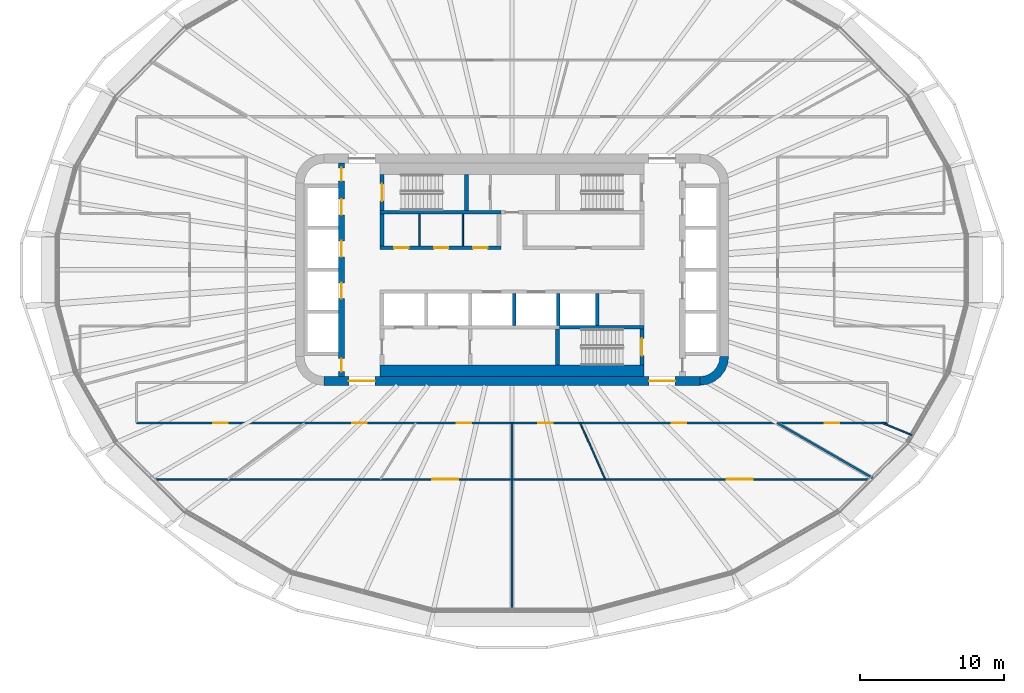
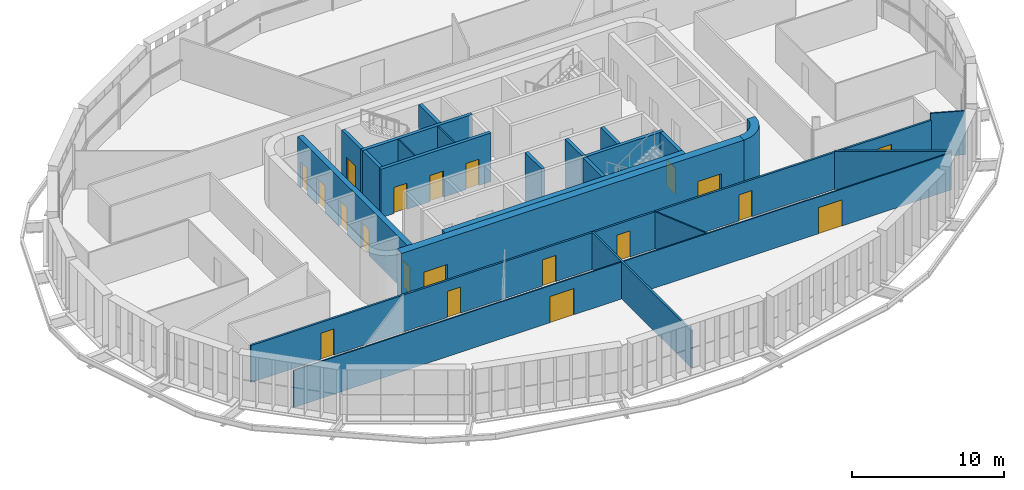
# One storey, part 15 of 25: 23 walls, 20 doors, 20 openings.
"""IFC4 building model written with IfcOpenShell, lengths in metres."""

from ifc_helpers import new_model, si_unit, direction, frame, frame_2d, origin, place, context, subcontext, project, spatial, polyline, rectangle, outline, extrude, material, layer, layer_set, type_object, element, fill, save


model = new_model("IFC4")

# Units and contexts
model_context = context("Model", 3, precision=1e-05, world=origin(), true_north=direction((0.0, 1.0)))
body_context = subcontext(model_context, "Body", "Model", "MODEL_VIEW")
ifc_project = project(units=[si_unit("LENGTHUNIT", "METRE"), si_unit("AREAUNIT", "SQUARE_METRE"), si_unit("VOLUMEUNIT", "CUBIC_METRE"), si_unit("PLANEANGLEUNIT", "RADIAN"), si_unit("MASSUNIT", "GRAM", prefix="KILO")], contexts=[model_context])

# Site, building, storey
site_placement = place(None, origin())
site = spatial("IfcSite", under=ifc_project, at=site_placement, CompositionType="ELEMENT")
building_placement = place(site_placement, origin())
building = spatial("IfcBuilding", under=site, at=building_placement, Name="Sahrelin Media Tower", CompositionType="ELEMENT")
storey_placement = place(building_placement, frame((0.0, 0.0, 144.0)))
storey = spatial("IfcBuildingStorey", under=building, at=storey_placement, Name="L29", CompositionType="ELEMENT", Elevation=144.0)

# Wall, openings, doors
ifc_material_1 = material(Name="Concrete C60/75", Category="concrete")
ifc_layer_1 = layer(ifc_material_1, 0.60009765625)
ifc_layer_set_1 = layer_set([ifc_layer_1], Name="Core wall 600")
wall_type_1 = type_object("IfcWallType", Name="Core wall 600", PredefinedType="SHEAR", material=ifc_layer_set_1)
wall_1_placement = place(storey_placement, frame((-13.0, -7.699951171875, 0.0), z_axis=(0.0, 0.0, 1.0), x_axis=(1.0, 0.0, 0.0)))
wall_1 = element("IfcWall", 1, at=wall_1_placement, inside=storey, type_object=wall_type_1, Name="Core wall S L29", PredefinedType="SHEAR", context=body_context, shape_type="SweptSolid", body=[
    extrude(rectangle(XDim=26.0, YDim=0.60009765625, at=frame_2d((13.0, 0.0))), origin(), (0.0, 0.0, 1.0), 4.199951171875),
])
opening_1_placement = place(wall_1_placement, frame((1.699951171875, 0.0, 0.0)))
opening_1 = element("IfcOpeningElement", 2, at=opening_1_placement, cuts=wall_1, Name="Opening L29-D19", PredefinedType="OPENING", context=body_context, shape_type="SweptSolid", body=[
    extrude(rectangle(XDim=1.800048828125, YDim=2.10009765625, at=frame_2d((0.89990234375, 1.050048828125))), frame((0.0, 0.300048828125, 0.0), z_axis=(0.0, -1.0, 0.0), x_axis=(1.0, 0.0, 0.0)), (0.0, 0.0, 1.0), 0.60009765625),
])
opening_2_placement = place(wall_1_placement, frame((22.5, 0.0, 0.0)))
opening_2 = element("IfcOpeningElement", 3, at=opening_2_placement, cuts=wall_1, Name="Opening L29-D20", PredefinedType="OPENING", context=body_context, shape_type="SweptSolid", body=[
    extrude(rectangle(XDim=1.800048828125, YDim=2.10009765625, at=frame_2d((0.89990234375, 1.050048828125))), frame((0.0, 0.300048828125, 0.0), z_axis=(0.0, -1.0, 0.0), x_axis=(1.0, 0.0, 0.0)), (0.0, 0.0, 1.0), 0.60009765625),
])
ifc_material_2 = material(Name="Steel fire door leaf", Category="steel")
door_type_1 = type_object("IfcDoorType", Name="Lobby double door 1800 x 2100 EI 60", OperationType="DOUBLE_DOOR_SINGLE_SWING", PredefinedType="DOOR", material=ifc_material_2)
door_1_placement = place(opening_1_placement, origin())
door_1 = element("IfcDoor", 4, at=door_1_placement, inside=storey, type_object=door_type_1, Name="Lobby door", OperationType="DOUBLE_DOOR_SINGLE_SWING", OverallHeight=2.10009765625, OverallWidth=1.800048828125, PredefinedType="DOOR", context=body_context, shape_type="SweptSolid", body=[
    extrude(rectangle(XDim=1.800048828125, YDim=2.10009765625, at=frame_2d((0.89990234375, 1.050048828125))), frame((0.0, 0.02490234375, 0.0), z_axis=(0.0, -1.0, 0.0), x_axis=(1.0, 0.0, 0.0)), (0.0, 0.0, 1.0), 0.050048828125),
])
fill(opening_1, door_1)
door_2_placement = place(opening_2_placement, origin())
door_2 = element("IfcDoor", 5, at=door_2_placement, inside=storey, type_object=door_type_1, Name="Lobby door", OperationType="DOUBLE_DOOR_SINGLE_SWING", OverallHeight=2.10009765625, OverallWidth=1.800048828125, PredefinedType="DOOR", context=body_context, shape_type="SweptSolid", body=[
    extrude(rectangle(XDim=1.800048828125, YDim=2.10009765625, at=frame_2d((0.89990234375, 1.050048828125))), frame((0.0, 0.02490234375, 0.0), z_axis=(0.0, -1.0, 0.0), x_axis=(1.0, 0.0, 0.0)), (0.0, 0.0, 1.0), 0.050048828125),
])
fill(opening_2, door_2)

# Wall
wall_2_placement = place(storey_placement, origin())
element("IfcWall", 6, at=wall_2_placement, inside=storey, type_object=wall_type_1, Name="Core wall corner SE L29", PredefinedType="SHEAR", context=body_context, shape_type="SweptSolid", body=[
    extrude(outline(polyline([(15.0, -6.0), (14.394775390625, -6.0), (14.347412109375, -6.361083984375), (14.2080078125, -6.697509765625), (13.986328125, -6.986328125), (13.697509765625, -7.2080078125), (13.361083984375, -7.347412109375), (13.0, -7.394775390625), (13.0, -8.0), (13.517578125, -7.931884765625), (14.0, -7.732177734375), (14.414306640625, -7.414306640625), (14.732177734375, -7.0), (14.931884765625, -6.517578125), (15.0, -6.0)])), origin(), (0.0, 0.0, 1.0), 4.199951171875),
])

# Wall, openings, doors
ifc_material_3 = material(Name="Fire-rated gypsum board partition")
ifc_layer_2 = layer(ifc_material_3, 0.25)
ifc_layer_set_2 = layer_set([ifc_layer_2], Name="Fire-rated lobby wall 250")
wall_type_2 = type_object("IfcWallType", Name="Fire-rated lobby wall 250", PredefinedType="PARTITIONING", material=ifc_layer_set_2)
wall_3_placement = place(storey_placement, frame((-9.125, 1.52490234375, 0.0), z_axis=(0.0, 0.0, 1.0), x_axis=(1.0, 0.0, 0.0)))
wall_3 = element("IfcWall", 7, at=wall_3_placement, inside=storey, type_object=wall_type_2, Name="Core lobby wall", PredefinedType="PARTITIONING", context=body_context, shape_type="SweptSolid", body=[
    extrude(rectangle(XDim=8.35009765625, YDim=0.25, at=frame_2d((4.175048828125, 0.0))), origin(), (0.0, 0.0, 1.0), 3.89990234375),
])
opening_3_placement = place(wall_3_placement, frame((0.96240234375, 0.0, 0.0)))
opening_3 = element("IfcOpeningElement", 8, at=opening_3_placement, cuts=wall_3, Name="Opening L29-D08", PredefinedType="OPENING", context=body_context, shape_type="SweptSolid", body=[
    extrude(rectangle(XDim=1.0, YDim=2.10009765625, at=frame_2d((0.5, 1.050048828125))), frame((0.0, 0.125, 0.0), z_axis=(0.0, -1.0, 0.0), x_axis=(1.0, 0.0, 0.0)), (0.0, 0.0, 1.0), 0.25),
])
opening_4_placement = place(wall_3_placement, frame((3.72509765625, 0.0, 0.0)))
opening_4 = element("IfcOpeningElement", 9, at=opening_4_placement, cuts=wall_3, Name="Opening L29-D09", PredefinedType="OPENING", context=body_context, shape_type="SweptSolid", body=[
    extrude(rectangle(XDim=1.0, YDim=2.10009765625, at=frame_2d((0.5, 1.050048828125))), frame((0.0, 0.125, 0.0), z_axis=(0.0, -1.0, 0.0), x_axis=(1.0, 0.0, 0.0)), (0.0, 0.0, 1.0), 0.25),
])
opening_5_placement = place(wall_3_placement, frame((6.4375, 0.0, 0.0)))
opening_5 = element("IfcOpeningElement", 10, at=opening_5_placement, cuts=wall_3, Name="Opening L29-D10", PredefinedType="OPENING", context=body_context, shape_type="SweptSolid", body=[
    extrude(rectangle(XDim=1.0, YDim=2.10009765625, at=frame_2d((0.5, 1.050048828125))), frame((0.0, 0.125, 0.0), z_axis=(0.0, -1.0, 0.0), x_axis=(1.0, 0.0, 0.0)), (0.0, 0.0, 1.0), 0.25),
])
door_type_2 = type_object("IfcDoorType", Name="Fire door 1000 x 2100 EI 60", OperationType="NOTDEFINED", PredefinedType="DOOR", material=ifc_material_2)
door_3_placement = place(opening_3_placement, origin())
door_3 = element("IfcDoor", 11, at=door_3_placement, inside=storey, type_object=door_type_2, Name="Core room door", OperationType="SINGLE_SWING_LEFT", OverallHeight=2.10009765625, OverallWidth=1.0, PredefinedType="DOOR", context=body_context, shape_type="SweptSolid", body=[
    extrude(rectangle(XDim=1.0, YDim=2.10009765625, at=frame_2d((0.5, 1.050048828125))), frame((0.0, 0.02490234375, 0.0), z_axis=(0.0, -1.0, 0.0), x_axis=(1.0, 0.0, 0.0)), (0.0, 0.0, 1.0), 0.050048828125),
])
fill(opening_3, door_3)
door_4_placement = place(opening_4_placement, origin())
door_4 = element("IfcDoor", 12, at=door_4_placement, inside=storey, type_object=door_type_2, Name="Core room door", OperationType="SINGLE_SWING_LEFT", OverallHeight=2.10009765625, OverallWidth=1.0, PredefinedType="DOOR", context=body_context, shape_type="SweptSolid", body=[
    extrude(rectangle(XDim=1.0, YDim=2.10009765625, at=frame_2d((0.5, 1.050048828125))), frame((0.0, 0.02490234375, 0.0), z_axis=(0.0, -1.0, 0.0), x_axis=(1.0, 0.0, 0.0)), (0.0, 0.0, 1.0), 0.050048828125),
])
fill(opening_4, door_4)
door_5_placement = place(opening_5_placement, origin())
door_5 = element("IfcDoor", 13, at=door_5_placement, inside=storey, type_object=door_type_2, Name="Core room door", OperationType="SINGLE_SWING_LEFT", OverallHeight=2.10009765625, OverallWidth=1.0, PredefinedType="DOOR", context=body_context, shape_type="SweptSolid", body=[
    extrude(rectangle(XDim=1.0, YDim=2.10009765625, at=frame_2d((0.5, 1.050048828125))), frame((0.0, 0.02490234375, 0.0), z_axis=(0.0, -1.0, 0.0), x_axis=(1.0, 0.0, 0.0)), (0.0, 0.0, 1.0), 0.050048828125),
])
fill(opening_5, door_5)

# Walls
wall_4_placement = place(storey_placement, frame((-9.0, 1.64990234375, 0.0), z_axis=(0.0, 0.0, 1.0), x_axis=(0.0, 1.0, 0.0)))
element("IfcWall", 14, at=wall_4_placement, inside=storey, type_object=wall_type_2, Name="Core lobby wall", PredefinedType="PARTITIONING", context=body_context, shape_type="SweptSolid", body=[
    extrude(rectangle(XDim=2.2001953125, YDim=0.25, at=frame_2d((1.10009765625, 0.0))), origin(), (0.0, 0.0, 1.0), 3.89990234375),
])
ifc_layer_3 = layer(ifc_material_3, 0.10009765625)
ifc_layer_set_3 = layer_set([ifc_layer_3], Name="Fire-rated partition 100")
wall_type_3 = type_object("IfcWallType", Name="Fire-rated partition 100", PredefinedType="PARTITIONING", material=ifc_layer_set_3)
for number, where, z_axis, x_axis, name in (
    (15, (-6.39990234375, 1.64990234375, 0.0), (0.0, 0.0, 1.0), (0.0, 1.0, 0.0), "Core room partition"),
    (16, (-3.39990234375, 1.64990234375, 0.0), (0.0, 0.0, 1.0), (0.0, 1.0, 0.0), "Core room partition"),
):
    element("IfcWall", number, at=place(storey_placement, frame(where, z_axis=z_axis, x_axis=x_axis)), inside=storey, type_object=wall_type_3, Name=name, PredefinedType="PARTITIONING", context=body_context, shape_type="SweptSolid", body=[
        extrude(rectangle(XDim=2.2001953125, YDim=0.10009765625, at=frame_2d((1.10009765625, 0.0))), origin(), (0.0, 0.0, 1.0), 3.89990234375),
    ])
ifc_layer_4 = layer(ifc_material_3, 0.14990234375)
ifc_layer_set_4 = layer_set([ifc_layer_4], Name="Fire-rated partition 150")
wall_type_4 = type_object("IfcWallType", Name="Fire-rated partition 150", PredefinedType="PARTITIONING", material=ifc_layer_set_4)
wall_5_placement = place(storey_placement, frame((18.35888671875, -10.60009765625, 0.0), z_axis=(0.0, 0.0, 1.0), x_axis=(0.866036201792, -0.499981296836, 0.0)))
element("IfcWall", 17, at=wall_5_placement, inside=storey, type_object=wall_type_4, Name="Wall", PredefinedType="PARTITIONING", context=body_context, shape_type="SweptSolid", body=[
    extrude(rectangle(XDim=7.701904296875, YDim=0.14990234375, at=frame_2d((3.85107421875, 0.0))), origin(), (0.0, 0.0, 1.0), 3.044921875),
])

# Wall, openings, doors
wall_6_placement = place(storey_placement, frame((-25.986083984375, -10.60009765625, 0.0), z_axis=(0.0, 0.0, 1.0), x_axis=(1.0, 0.0, 0.0)))
wall_6 = element("IfcWall", 18, at=wall_6_placement, inside=storey, type_object=wall_type_4, Name="Wall", PredefinedType="PARTITIONING", context=body_context, shape_type="SweptSolid", body=[
    extrude(rectangle(XDim=51.97216796875, YDim=0.14990234375, at=frame_2d((25.986083984375, 0.0))), origin(), (0.0, 0.0, 1.0), 2.96826171875),
])
opening_6_placement = place(wall_6_placement, frame((47.628173828125, 0.0, 0.0)))
opening_6 = element("IfcOpeningElement", 19, at=opening_6_placement, cuts=wall_6, Name="Opening L29-D21", PredefinedType="OPENING", context=body_context, shape_type="SweptSolid", body=[
    extrude(rectangle(XDim=1.0, YDim=2.10009765625, at=frame_2d((0.5, 1.050048828125))), frame((0.0, 0.074951171875, 0.0), z_axis=(0.0, -1.0, 0.0), x_axis=(1.0, 0.0, 0.0)), (0.0, 0.0, 1.0), 0.14990234375),
])
opening_7_placement = place(wall_6_placement, frame((5.3115234375, 0.0, 0.0)))
opening_7 = element("IfcOpeningElement", 20, at=opening_7_placement, cuts=wall_6, Name="Opening L29-D32", PredefinedType="OPENING", context=body_context, shape_type="SweptSolid", body=[
    extrude(rectangle(XDim=1.0, YDim=2.10009765625, at=frame_2d((0.5, 1.050048828125))), frame((0.0, 0.074951171875, 0.0), z_axis=(0.0, -1.0, 0.0), x_axis=(1.0, 0.0, 0.0)), (0.0, 0.0, 1.0), 0.14990234375),
])
opening_8_placement = place(wall_6_placement, frame((14.924072265625, 0.0, 0.0)))
opening_8 = element("IfcOpeningElement", 21, at=opening_8_placement, cuts=wall_6, Name="Opening L29-D33", PredefinedType="OPENING", context=body_context, shape_type="SweptSolid", body=[
    extrude(rectangle(XDim=1.0, YDim=2.10009765625, at=frame_2d((0.5, 1.050048828125))), frame((0.0, 0.074951171875, 0.0), z_axis=(0.0, -1.0, 0.0), x_axis=(1.0, 0.0, 0.0)), (0.0, 0.0, 1.0), 0.14990234375),
])
opening_9_placement = place(wall_6_placement, frame((22.155517578125, 0.0, 0.0)))
opening_9 = element("IfcOpeningElement", 22, at=opening_9_placement, cuts=wall_6, Name="Opening L29-D34", PredefinedType="OPENING", context=body_context, shape_type="SweptSolid", body=[
    extrude(rectangle(XDim=1.0, YDim=2.10009765625, at=frame_2d((0.5, 1.050048828125))), frame((0.0, 0.074951171875, 0.0), z_axis=(0.0, -1.0, 0.0), x_axis=(1.0, 0.0, 0.0)), (0.0, 0.0, 1.0), 0.14990234375),
])
opening_10_placement = place(wall_6_placement, frame((27.795166015625, 0.0, 0.0)))
opening_10 = element("IfcOpeningElement", 23, at=opening_10_placement, cuts=wall_6, Name="Opening L29-D36", PredefinedType="OPENING", context=body_context, shape_type="SweptSolid", body=[
    extrude(rectangle(XDim=1.0, YDim=2.10009765625, at=frame_2d((0.5, 1.050048828125))), frame((0.0, 0.074951171875, 0.0), z_axis=(0.0, -1.0, 0.0), x_axis=(1.0, 0.0, 0.0)), (0.0, 0.0, 1.0), 0.14990234375),
])
opening_11_placement = place(wall_6_placement, frame((37.04541015625, 0.0, 0.0)))
opening_11 = element("IfcOpeningElement", 24, at=opening_11_placement, cuts=wall_6, Name="Opening L29-D37", PredefinedType="OPENING", context=body_context, shape_type="SweptSolid", body=[
    extrude(rectangle(XDim=1.0, YDim=2.10009765625, at=frame_2d((0.5, 1.050048828125))), frame((0.0, 0.074951171875, 0.0), z_axis=(0.0, -1.0, 0.0), x_axis=(1.0, 0.0, 0.0)), (0.0, 0.0, 1.0), 0.14990234375),
])
door_6_placement = place(opening_6_placement, origin())
door_6 = element("IfcDoor", 25, at=door_6_placement, inside=storey, type_object=door_type_2, Name="Fire door", OperationType="SINGLE_SWING_LEFT", OverallHeight=2.10009765625, OverallWidth=1.0, PredefinedType="DOOR", context=body_context, shape_type="SweptSolid", body=[
    extrude(rectangle(XDim=1.0, YDim=2.10009765625, at=frame_2d((0.5, 1.050048828125))), frame((0.0, 0.02490234375, 0.0), z_axis=(0.0, -1.0, 0.0), x_axis=(1.0, 0.0, 0.0)), (0.0, 0.0, 1.0), 0.050048828125),
])
fill(opening_6, door_6)
door_7_placement = place(opening_7_placement, origin())
door_7 = element("IfcDoor", 26, at=door_7_placement, inside=storey, type_object=door_type_2, Name="Fire door", OperationType="SINGLE_SWING_RIGHT", OverallHeight=2.10009765625, OverallWidth=1.0, PredefinedType="DOOR", context=body_context, shape_type="SweptSolid", body=[
    extrude(rectangle(XDim=1.0, YDim=2.10009765625, at=frame_2d((0.5, 1.050048828125))), frame((0.0, 0.02490234375, 0.0), z_axis=(0.0, -1.0, 0.0), x_axis=(1.0, 0.0, 0.0)), (0.0, 0.0, 1.0), 0.050048828125),
])
fill(opening_7, door_7)
door_8_placement = place(opening_8_placement, origin())
door_8 = element("IfcDoor", 27, at=door_8_placement, inside=storey, type_object=door_type_2, Name="Fire door", OperationType="SINGLE_SWING_RIGHT", OverallHeight=2.10009765625, OverallWidth=1.0, PredefinedType="DOOR", context=body_context, shape_type="SweptSolid", body=[
    extrude(rectangle(XDim=1.0, YDim=2.10009765625, at=frame_2d((0.5, 1.050048828125))), frame((0.0, 0.02490234375, 0.0), z_axis=(0.0, -1.0, 0.0), x_axis=(1.0, 0.0, 0.0)), (0.0, 0.0, 1.0), 0.050048828125),
])
fill(opening_8, door_8)
door_9_placement = place(opening_9_placement, origin())
door_9 = element("IfcDoor", 28, at=door_9_placement, inside=storey, type_object=door_type_2, Name="Fire door", OperationType="SINGLE_SWING_RIGHT", OverallHeight=2.10009765625, OverallWidth=1.0, PredefinedType="DOOR", context=body_context, shape_type="SweptSolid", body=[
    extrude(rectangle(XDim=1.0, YDim=2.10009765625, at=frame_2d((0.5, 1.050048828125))), frame((0.0, 0.02490234375, 0.0), z_axis=(0.0, -1.0, 0.0), x_axis=(1.0, 0.0, 0.0)), (0.0, 0.0, 1.0), 0.050048828125),
])
fill(opening_9, door_9)
door_10_placement = place(opening_10_placement, origin())
door_10 = element("IfcDoor", 29, at=door_10_placement, inside=storey, type_object=door_type_2, Name="Fire door", OperationType="SINGLE_SWING_LEFT", OverallHeight=2.10009765625, OverallWidth=1.0, PredefinedType="DOOR", context=body_context, shape_type="SweptSolid", body=[
    extrude(rectangle(XDim=1.0, YDim=2.10009765625, at=frame_2d((0.5, 1.050048828125))), frame((0.0, 0.02490234375, 0.0), z_axis=(0.0, -1.0, 0.0), x_axis=(1.0, 0.0, 0.0)), (0.0, 0.0, 1.0), 0.050048828125),
])
fill(opening_10, door_10)
door_11_placement = place(opening_11_placement, origin())
door_11 = element("IfcDoor", 30, at=door_11_placement, inside=storey, type_object=door_type_2, Name="Fire door", OperationType="SINGLE_SWING_LEFT", OverallHeight=2.10009765625, OverallWidth=1.0, PredefinedType="DOOR", context=body_context, shape_type="SweptSolid", body=[
    extrude(rectangle(XDim=1.0, YDim=2.10009765625, at=frame_2d((0.5, 1.050048828125))), frame((0.0, 0.02490234375, 0.0), z_axis=(0.0, -1.0, 0.0), x_axis=(1.0, 0.0, 0.0)), (0.0, 0.0, 1.0), 0.050048828125),
])
fill(opening_11, door_11)

# Walls
wall_7_placement = place(storey_placement, frame((0.0, -23.696044921875, 0.0), z_axis=(0.0, 0.0, 1.0), x_axis=(0.0, 1.0, 0.0)))
element("IfcWall", 31, at=wall_7_placement, inside=storey, type_object=wall_type_4, Name="Wall", PredefinedType="PARTITIONING", context=body_context, shape_type="SweptSolid", body=[
    extrude(rectangle(XDim=13.095947265625, YDim=0.14990234375, at=frame_2d((6.5478515625, 0.0))), origin(), (0.0, 0.0, 1.0), 2.96826171875),
])
ifc_layer_5 = layer(ifc_material_1, 0.25)
ifc_layer_set_5 = layer_set([ifc_layer_5], Name="Lift shaft wall 250")
wall_type_5 = type_object("IfcWallType", Name="Lift shaft wall 250", PredefinedType="SOLIDWALL", material=ifc_layer_set_5)
wall_8_placement = place(storey_placement, frame((3.27490234375, -3.97509765625, 0.0), z_axis=(0.0, 0.0, 1.0), x_axis=(1.0, 0.0, 0.0)))
element("IfcWall", 32, at=wall_8_placement, inside=storey, type_object=wall_type_5, Name="Lift shaft wall", PredefinedType="SOLIDWALL", context=body_context, shape_type="SweptSolid", body=[
    extrude(rectangle(XDim=5.85009765625, YDim=0.25, at=frame_2d((2.925048828125, 0.0))), origin(), (0.0, 0.0, 1.0), 3.89990234375),
])
for number, where, z_axis, x_axis, name in (
    (33, (0.14990234375, -3.85009765625, 0.0), (0.0, 0.0, 1.0), (0.0, 1.0, 0.0), "Lift shaft wall"),
    (34, (3.199951171875, -3.85009765625, 0.0), (0.0, 0.0, 1.0), (0.0, 1.0, 0.0), "Lift shaft wall"),
    (35, (5.89990234375, -3.85009765625, 0.0), (0.0, 0.0, 1.0), (0.0, 1.0, 0.0), "Lift shaft wall"),
):
    element("IfcWall", number, at=place(storey_placement, frame(where, z_axis=z_axis, x_axis=x_axis)), inside=storey, type_object=wall_type_5, Name=name, PredefinedType="SOLIDWALL", context=body_context, shape_type="SweptSolid", body=[
        extrude(rectangle(XDim=2.2001953125, YDim=0.25, at=frame_2d((1.10009765625, 0.0))), origin(), (0.0, 0.0, 1.0), 3.89990234375),
    ])

# Wall, openings, doors
ifc_layer_6 = layer(ifc_material_1, 0.39990234375)
ifc_layer_set_6 = layer_set([ifc_layer_6], Name="Lift shaft wall 400")
wall_type_6 = type_object("IfcWallType", Name="Lift shaft wall 400", PredefinedType="SOLIDWALL", material=ifc_layer_set_6)
wall_9_placement = place(storey_placement, frame((-11.800048828125, -7.39990234375, 0.0), z_axis=(0.0, 0.0, 1.0), x_axis=(0.0, 1.0, 0.0)))
wall_9 = element("IfcWall", 36, at=wall_9_placement, inside=storey, type_object=wall_type_6, Name="Lift shaft wall", PredefinedType="SOLIDWALL", context=body_context, shape_type="SweptSolid", body=[
    extrude(rectangle(XDim=14.7998046875, YDim=0.39990234375, at=frame_2d((7.39990234375, 0.0))), origin(), (0.0, 0.0, 1.0), 3.89990234375),
])
opening_12_placement = place(wall_9_placement, frame((11.199951171875, 0.0, 0.0)))
opening_12 = element("IfcOpeningElement", 37, at=opening_12_placement, cuts=wall_9, Name="Opening L29-LD-LR1", PredefinedType="OPENING", context=body_context, shape_type="SweptSolid", body=[
    extrude(rectangle(XDim=1.10009765625, YDim=2.10009765625, at=frame_2d((0.550048828125, 1.050048828125))), frame((0.0, 0.199951171875, 0.0), z_axis=(0.0, -1.0, 0.0), x_axis=(1.0, 0.0, 0.0)), (0.0, 0.0, 1.0), 0.39990234375),
])
opening_13_placement = place(wall_9_placement, frame((8.300048828125, 0.0, 0.0)))
opening_13 = element("IfcOpeningElement", 38, at=opening_13_placement, cuts=wall_9, Name="Opening L29-LD-LR2", PredefinedType="OPENING", context=body_context, shape_type="SweptSolid", body=[
    extrude(rectangle(XDim=1.10009765625, YDim=2.10009765625, at=frame_2d((0.550048828125, 1.050048828125))), frame((0.0, 0.199951171875, 0.0), z_axis=(0.0, -1.0, 0.0), x_axis=(1.0, 0.0, 0.0)), (0.0, 0.0, 1.0), 0.39990234375),
])
opening_14_placement = place(wall_9_placement, frame((5.39990234375, 0.0, 0.0)))
opening_14 = element("IfcOpeningElement", 39, at=opening_14_placement, cuts=wall_9, Name="Opening L29-LD-LR3", PredefinedType="OPENING", context=body_context, shape_type="SweptSolid", body=[
    extrude(rectangle(XDim=1.10009765625, YDim=2.10009765625, at=frame_2d((0.550048828125, 1.050048828125))), frame((0.0, 0.199951171875, 0.0), z_axis=(0.0, -1.0, 0.0), x_axis=(1.0, 0.0, 0.0)), (0.0, 0.0, 1.0), 0.39990234375),
])
opening_15_placement = place(wall_9_placement, frame((13.552490234375, 0.0, 0.0)))
opening_15 = element("IfcOpeningElement", 40, at=opening_15_placement, cuts=wall_9, Name="Opening L29-D13", PredefinedType="OPENING", context=body_context, shape_type="SweptSolid", body=[
    extrude(rectangle(XDim=0.89990234375, YDim=2.10009765625, at=frame_2d((0.449951171875, 1.050048828125))), frame((0.0, 0.199951171875, 0.0), z_axis=(0.0, -1.0, 0.0), x_axis=(1.0, 0.0, 0.0)), (0.0, 0.0, 1.0), 0.39990234375),
])
opening_16_placement = place(wall_9_placement, frame((0.347412109375, 0.0, 0.0)))
opening_16 = element("IfcOpeningElement", 41, at=opening_16_placement, cuts=wall_9, Name="Opening L29-D14", PredefinedType="OPENING", context=body_context, shape_type="SweptSolid", body=[
    extrude(rectangle(XDim=0.89990234375, YDim=2.10009765625, at=frame_2d((0.449951171875, 1.050048828125))), frame((0.0, 0.199951171875, 0.0), z_axis=(0.0, -1.0, 0.0), x_axis=(1.0, 0.0, 0.0)), (0.0, 0.0, 1.0), 0.39990234375),
])
ifc_material_4 = material(Name="Stainless steel", Category="steel")
door_type_3 = type_object("IfcDoorType", Name="Lift landing door 1100 x 2100 EI 120", OperationType="DOUBLE_DOOR_SLIDING", PredefinedType="DOOR", material=ifc_material_4)
door_12_placement = place(opening_12_placement, origin())
door_12 = element("IfcDoor", 42, at=door_12_placement, inside=storey, type_object=door_type_3, Name="Lift landing door LR1", OperationType="DOUBLE_DOOR_SLIDING", OverallHeight=2.10009765625, OverallWidth=1.10009765625, PredefinedType="DOOR", context=body_context, shape_type="SweptSolid", body=[
    extrude(rectangle(XDim=1.10009765625, YDim=2.10009765625, at=frame_2d((0.550048828125, 1.050048828125))), frame((0.0, 0.02490234375, 0.0), z_axis=(0.0, -1.0, 0.0), x_axis=(1.0, 0.0, 0.0)), (0.0, 0.0, 1.0), 0.050048828125),
])
fill(opening_12, door_12)
door_13_placement = place(opening_13_placement, origin())
door_13 = element("IfcDoor", 43, at=door_13_placement, inside=storey, type_object=door_type_3, Name="Lift landing door LR2", OperationType="DOUBLE_DOOR_SLIDING", OverallHeight=2.10009765625, OverallWidth=1.10009765625, PredefinedType="DOOR", context=body_context, shape_type="SweptSolid", body=[
    extrude(rectangle(XDim=1.10009765625, YDim=2.10009765625, at=frame_2d((0.550048828125, 1.050048828125))), frame((0.0, 0.02490234375, 0.0), z_axis=(0.0, -1.0, 0.0), x_axis=(1.0, 0.0, 0.0)), (0.0, 0.0, 1.0), 0.050048828125),
])
fill(opening_13, door_13)
door_14_placement = place(opening_14_placement, origin())
door_14 = element("IfcDoor", 44, at=door_14_placement, inside=storey, type_object=door_type_3, Name="Lift landing door LR3", OperationType="DOUBLE_DOOR_SLIDING", OverallHeight=2.10009765625, OverallWidth=1.10009765625, PredefinedType="DOOR", context=body_context, shape_type="SweptSolid", body=[
    extrude(rectangle(XDim=1.10009765625, YDim=2.10009765625, at=frame_2d((0.550048828125, 1.050048828125))), frame((0.0, 0.02490234375, 0.0), z_axis=(0.0, -1.0, 0.0), x_axis=(1.0, 0.0, 0.0)), (0.0, 0.0, 1.0), 0.050048828125),
])
fill(opening_14, door_14)
door_type_4 = type_object("IfcDoorType", Name="Riser door 900 x 2100 EI 120", OperationType="NOTDEFINED", PredefinedType="DOOR", material=ifc_material_2)
door_15_placement = place(opening_15_placement, origin())
door_15 = element("IfcDoor", 45, at=door_15_placement, inside=storey, type_object=door_type_4, Name="Riser door", OperationType="SINGLE_SWING_LEFT", OverallHeight=2.10009765625, OverallWidth=0.89990234375, PredefinedType="DOOR", context=body_context, shape_type="SweptSolid", body=[
    extrude(rectangle(XDim=0.89990234375, YDim=2.10009765625, at=frame_2d((0.449951171875, 1.050048828125))), frame((0.0, 0.02490234375, 0.0), z_axis=(0.0, -1.0, 0.0), x_axis=(1.0, 0.0, 0.0)), (0.0, 0.0, 1.0), 0.050048828125),
])
fill(opening_15, door_15)
door_16_placement = place(opening_16_placement, origin())
door_16 = element("IfcDoor", 46, at=door_16_placement, inside=storey, type_object=door_type_4, Name="Riser door", OperationType="SINGLE_SWING_LEFT", OverallHeight=2.10009765625, OverallWidth=0.89990234375, PredefinedType="DOOR", context=body_context, shape_type="SweptSolid", body=[
    extrude(rectangle(XDim=0.89990234375, YDim=2.10009765625, at=frame_2d((0.449951171875, 1.050048828125))), frame((0.0, 0.02490234375, 0.0), z_axis=(0.0, -1.0, 0.0), x_axis=(1.0, 0.0, 0.0)), (0.0, 0.0, 1.0), 0.050048828125),
])
fill(opening_16, door_16)

# Walls
ifc_material_5 = material(Name="Gypsum board partition")
ifc_layer_7 = layer(ifc_material_5, 0.10009765625)
ifc_layer_set_7 = layer_set([ifc_layer_7], Name="Partition 100")
wall_type_7 = type_object("IfcWallType", Name="Partition 100", PredefinedType="PARTITIONING", material=ifc_layer_set_7)
wall_10_placement = place(storey_placement, frame((4.718994140625, -10.60009765625, 0.0), z_axis=(0.0, 0.0, 1.0), x_axis=(0.406768186446, -0.913531412977, 0.0)))
element("IfcWall", 47, at=wall_10_placement, inside=storey, type_object=wall_type_7, Name="Wall", PredefinedType="PARTITIONING", context=body_context, shape_type="SweptSolid", body=[
    extrude(rectangle(XDim=4.280029296875, YDim=0.10009765625, at=frame_2d((2.14013671875, 0.0))), origin(), (0.0, 0.0, 1.0), 2.96826171875),
])
wall_11_placement = place(storey_placement, frame((25.635009765625, -10.60009765625, 0.0), z_axis=(0.0, 0.0, 1.0), x_axis=(0.924087226733, -0.382181628796, 0.0)))
element("IfcWall", 48, at=wall_11_placement, inside=storey, type_object=wall_type_7, Name="Wall", PredefinedType="PARTITIONING", context=body_context, shape_type="SweptSolid", body=[
    extrude(rectangle(XDim=2.3232421875, YDim=0.10009765625, at=frame_2d((1.16162109375, 0.0))), origin(), (0.0, 0.0, 1.0), 3.52490234375),
])

# Wall, openings, doors
wall_12_placement = place(storey_placement, frame((-24.969970703125, -14.510009765625, 0.0), z_axis=(0.0, 0.0, 1.0), x_axis=(1.0, 0.0, 0.0)))
wall_12 = element("IfcWall", 49, at=wall_12_placement, inside=storey, type_object=wall_type_7, Name="Wall", PredefinedType="PARTITIONING", context=body_context, shape_type="SweptSolid", body=[
    extrude(rectangle(XDim=49.93994140625, YDim=0.10009765625, at=frame_2d((24.969970703125, 0.0))), origin(), (0.0, 0.0, 1.0), 2.96826171875),
])
opening_17_placement = place(wall_12_placement, frame((19.46142578125, 0.0, 0.0)))
opening_17 = element("IfcOpeningElement", 50, at=opening_17_placement, cuts=wall_12, Name="Opening L29-D35", PredefinedType="OPENING", context=body_context, shape_type="SweptSolid", body=[
    extrude(rectangle(XDim=1.800048828125, YDim=2.10009765625, at=frame_2d((0.89990234375, 1.050048828125))), frame((0.0, 0.050048828125, 0.0), z_axis=(0.0, -1.0, 0.0), x_axis=(1.0, 0.0, 0.0)), (0.0, 0.0, 1.0), 0.10009765625),
])
opening_18_placement = place(wall_12_placement, frame((39.8349609375, 0.0, 0.0)))
opening_18 = element("IfcOpeningElement", 51, at=opening_18_placement, cuts=wall_12, Name="Opening L29-D38", PredefinedType="OPENING", context=body_context, shape_type="SweptSolid", body=[
    extrude(rectangle(XDim=1.800048828125, YDim=2.10009765625, at=frame_2d((0.89990234375, 1.050048828125))), frame((0.0, 0.050048828125, 0.0), z_axis=(0.0, -1.0, 0.0), x_axis=(1.0, 0.0, 0.0)), (0.0, 0.0, 1.0), 0.10009765625),
])
ifc_material_6 = material(Name="Timber door leaf", Category="wood")
door_type_5 = type_object("IfcDoorType", Name="Double door 1800 x 2100", OperationType="DOUBLE_DOOR_SINGLE_SWING", PredefinedType="DOOR", material=ifc_material_6)
door_17_placement = place(opening_17_placement, origin())
door_17 = element("IfcDoor", 52, at=door_17_placement, inside=storey, type_object=door_type_5, Name="Double door", OperationType="DOUBLE_DOOR_SINGLE_SWING", OverallHeight=2.10009765625, OverallWidth=1.800048828125, PredefinedType="DOOR", context=body_context, shape_type="SweptSolid", body=[
    extrude(rectangle(XDim=1.800048828125, YDim=2.10009765625, at=frame_2d((0.89990234375, 1.050048828125))), frame((0.0, 0.02490234375, 0.0), z_axis=(0.0, -1.0, 0.0), x_axis=(1.0, 0.0, 0.0)), (0.0, 0.0, 1.0), 0.050048828125),
])
fill(opening_17, door_17)
door_18_placement = place(opening_18_placement, origin())
door_18 = element("IfcDoor", 53, at=door_18_placement, inside=storey, type_object=door_type_5, Name="Double door", OperationType="DOUBLE_DOOR_SINGLE_SWING", OverallHeight=2.10009765625, OverallWidth=1.800048828125, PredefinedType="DOOR", context=body_context, shape_type="SweptSolid", body=[
    extrude(rectangle(XDim=1.800048828125, YDim=2.10009765625, at=frame_2d((0.89990234375, 1.050048828125))), frame((0.0, 0.02490234375, 0.0), z_axis=(0.0, -1.0, 0.0), x_axis=(1.0, 0.0, 0.0)), (0.0, 0.0, 1.0), 0.050048828125),
])
fill(opening_18, door_18)

# Wall, opening, door
ifc_layer_8 = layer(ifc_material_1, 0.25)
ifc_layer_set_8 = layer_set([ifc_layer_8], Name="Stair enclosure wall 250")
wall_type_8 = type_object("IfcWallType", Name="Stair enclosure wall 250", PredefinedType="SOLIDWALL", material=ifc_layer_set_8)
wall_13_placement = place(storey_placement, frame((-9.0, 4.10009765625, 0.0), z_axis=(0.0, 0.0, 1.0), x_axis=(0.0, 1.0, 0.0)))
wall_13 = element("IfcWall", 54, at=wall_13_placement, inside=storey, type_object=wall_type_8, Name="Stair enclosure wall", PredefinedType="SOLIDWALL", context=body_context, shape_type="SweptSolid", body=[
    extrude(rectangle(XDim=2.5, YDim=0.25, at=frame_2d((1.25, 0.0))), origin(), (0.0, 0.0, 1.0), 3.89990234375),
])
opening_19_placement = place(wall_13_placement, frame((0.64990234375, 0.0, 0.0)))
opening_19 = element("IfcOpeningElement", 55, at=opening_19_placement, cuts=wall_13, Name="Opening L29-D01", PredefinedType="OPENING", context=body_context, shape_type="SweptSolid", body=[
    extrude(rectangle(XDim=1.199951171875, YDim=2.10009765625, at=frame_2d((0.60009765625, 1.050048828125))), frame((0.0, 0.125, 0.0), z_axis=(0.0, -1.0, 0.0), x_axis=(1.0, 0.0, 0.0)), (0.0, 0.0, 1.0), 0.25),
])
door_type_6 = type_object("IfcDoorType", Name="Stair door 1200 x 2100 EI 120", OperationType="NOTDEFINED", PredefinedType="DOOR", material=ifc_material_2)
door_19_placement = place(opening_19_placement, origin())
door_19 = element("IfcDoor", 56, at=door_19_placement, inside=storey, type_object=door_type_6, Name="Stair door ST1", OperationType="SINGLE_SWING_RIGHT", OverallHeight=2.10009765625, OverallWidth=1.199951171875, PredefinedType="DOOR", context=body_context, shape_type="SweptSolid", body=[
    extrude(rectangle(XDim=1.199951171875, YDim=2.10009765625, at=frame_2d((0.60009765625, 1.050048828125))), frame((0.0, 0.02490234375, 0.0), z_axis=(0.0, -1.0, 0.0), x_axis=(1.0, 0.0, 0.0)), (0.0, 0.0, 1.0), 0.050048828125),
])
fill(opening_19, door_19)

wall_14_placement = place(storey_placement, frame((9.0, -6.60009765625, 0.0), z_axis=(0.0, 0.0, 1.0), x_axis=(0.0, 1.0, 0.0)))
wall_14 = element("IfcWall", 57, at=wall_14_placement, inside=storey, type_object=wall_type_8, Name="Stair enclosure wall", PredefinedType="SOLIDWALL", context=body_context, shape_type="SweptSolid", body=[
    extrude(rectangle(XDim=2.5, YDim=0.25, at=frame_2d((1.25, 0.0))), origin(), (0.0, 0.0, 1.0), 3.89990234375),
])
opening_20_placement = place(wall_14_placement, frame((0.64990234375, 0.0, 0.0)))
opening_20 = element("IfcOpeningElement", 58, at=opening_20_placement, cuts=wall_14, Name="Opening L29-D03", PredefinedType="OPENING", context=body_context, shape_type="SweptSolid", body=[
    extrude(rectangle(XDim=1.199951171875, YDim=2.10009765625, at=frame_2d((0.60009765625, 1.050048828125))), frame((0.0, 0.125, 0.0), z_axis=(0.0, -1.0, 0.0), x_axis=(1.0, 0.0, 0.0)), (0.0, 0.0, 1.0), 0.25),
])
door_20_placement = place(opening_20_placement, origin())
door_20 = element("IfcDoor", 59, at=door_20_placement, inside=storey, type_object=door_type_6, Name="Stair door ST2", OperationType="SINGLE_SWING_LEFT", OverallHeight=2.10009765625, OverallWidth=1.199951171875, PredefinedType="DOOR", context=body_context, shape_type="SweptSolid", body=[
    extrude(rectangle(XDim=1.199951171875, YDim=2.10009765625, at=frame_2d((0.60009765625, 1.050048828125))), frame((0.0, 0.02490234375, 0.0), z_axis=(0.0, -1.0, 0.0), x_axis=(1.0, 0.0, 0.0)), (0.0, 0.0, 1.0), 0.050048828125),
])
fill(opening_20, door_20)

# Walls
for number, where, z_axis, x_axis, name in (
    (60, (-3.14990234375, 4.10009765625, 0.0), (0.0, 0.0, 1.0), (0.0, 1.0, 0.0), "Stair enclosure wall"),
    (61, (3.14990234375, -6.60009765625, 0.0), (0.0, 0.0, 1.0), (0.0, 1.0, 0.0), "Stair enclosure wall"),
):
    element("IfcWall", number, at=place(storey_placement, frame(where, z_axis=z_axis, x_axis=x_axis)), inside=storey, type_object=wall_type_8, Name=name, PredefinedType="SOLIDWALL", context=body_context, shape_type="SweptSolid", body=[
        extrude(rectangle(XDim=2.5, YDim=0.25, at=frame_2d((1.25, 0.0))), origin(), (0.0, 0.0, 1.0), 3.89990234375),
    ])
wall_15_placement = place(storey_placement, frame((-9.125, 3.97509765625, 0.0), z_axis=(0.0, 0.0, 1.0), x_axis=(1.0, 0.0, 0.0)))
element("IfcWall", 62, at=wall_15_placement, inside=storey, type_object=wall_type_8, Name="Stair enclosure wall", PredefinedType="SOLIDWALL", context=body_context, shape_type="SweptSolid", body=[
    extrude(rectangle(XDim=8.35009765625, YDim=0.25, at=frame_2d((4.175048828125, 0.0))), origin(), (0.0, 0.0, 1.0), 3.89990234375),
])
ifc_layer_9 = layer(ifc_material_1, 0.800048828125)
ifc_layer_set_9 = layer_set([ifc_layer_9], Name="Stair enclosure wall 800")
wall_type_9 = type_object("IfcWallType", Name="Stair enclosure wall 800", PredefinedType="SOLIDWALL", material=ifc_layer_set_9)
wall_16_placement = place(storey_placement, frame((-9.125, -7.0, 0.0), z_axis=(0.0, 0.0, 1.0), x_axis=(1.0, 0.0, 0.0)))
element("IfcWall", 63, at=wall_16_placement, inside=storey, type_object=wall_type_9, Name="Stair enclosure wall", PredefinedType="SOLIDWALL", context=body_context, shape_type="SweptSolid", body=[
    extrude(rectangle(XDim=18.25, YDim=0.800048828125, at=frame_2d((9.125, 0.0))), origin(), (0.0, 0.0, 1.0), 3.89990234375),
])

save(model, "model.ifc")
